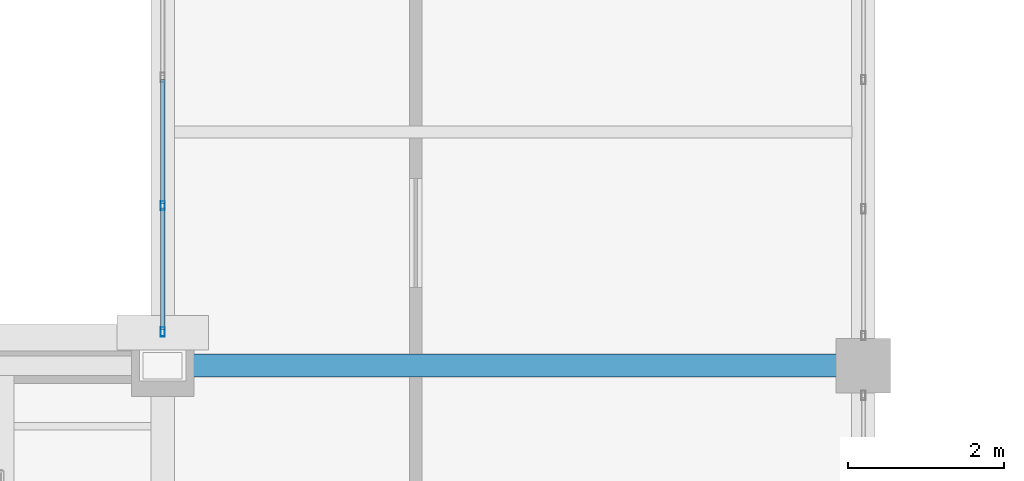
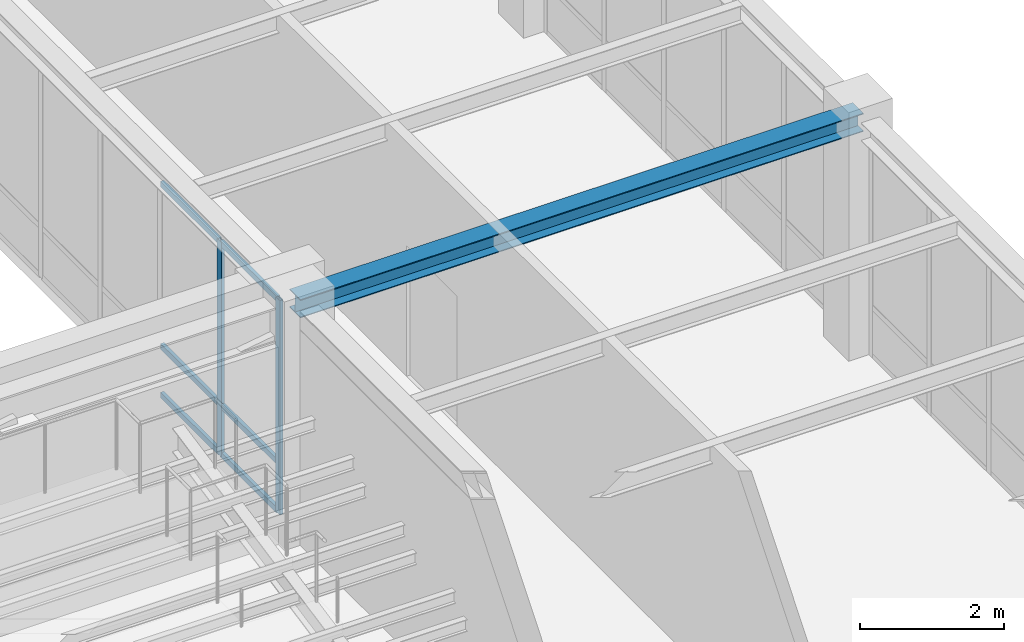
# One storey, part 35 of 108: 8 members, 1 beam, 1 element without a shape of its own.
"""IFC4 building model written with IfcOpenShell, lengths in metres."""

from ifc_helpers import new_model, si_unit, direction, frame, origin, origin_2d, place, context, subcontext, project, spatial, hollow_rectangle, i_section, extrude, material, material_profile, profile_set, type_object, element, aggregate, save


model = new_model("IFC4")

# Units and contexts
model_context = context("Model", 3, precision=1e-05, world=origin(), true_north=direction((0.0, 1.0)))
body_context = subcontext(model_context, "Body", "Model", "MODEL_VIEW")
ifc_project = project(units=[si_unit("LENGTHUNIT", "METRE"), si_unit("AREAUNIT", "SQUARE_METRE"), si_unit("VOLUMEUNIT", "CUBIC_METRE"), si_unit("PLANEANGLEUNIT", "RADIAN"), si_unit("MASSUNIT", "GRAM", prefix="KILO")], contexts=[model_context])

# Site, building, storey
site_placement = place(None, origin())
site = spatial("IfcSite", under=ifc_project, at=site_placement, CompositionType="ELEMENT")
building_placement = place(site_placement, origin())
building = spatial("IfcBuilding", under=site, at=building_placement, Name="Lykobir Media Centre", CompositionType="ELEMENT")
storey_placement = place(building_placement, frame((0.0, 0.0, 15.0)))
storey = spatial("IfcBuildingStorey", under=building, at=storey_placement, Name="L03", CompositionType="ELEMENT", Elevation=15.0)

# Curtain wall, members
ifc_material_1 = material(Name="Anodized Aluminium AW-6060", Category="aluminium")
curtain_wall_type = type_object("IfcCurtainWallType", Name="CW-COURT-B", PredefinedType="NOTDEFINED", material=ifc_material_1)
curtain_wall_placement = place(storey_placement, origin())
curtain_wall = element("IfcCurtainWall", 1, at=curtain_wall_placement, inside=storey, type_object=curtain_wall_type, Name="Curtain wall CW2-L03-0135", PredefinedType="NOTDEFINED")
ifc_material_profile_1 = material_profile(ifc_material_1, hollow_rectangle(XDim=0.054931640625, YDim=0.1201171875, WallThickness=0.003173828125, at=origin_2d()), Name="ALU MULLION 55x120")
ifc_profile_set_1 = profile_set([ifc_material_profile_1], Name="Anodized Aluminium AW-6060")
member_type_1 = type_object("IfcMemberType", Name="CWM-120", PredefinedType="MULLION", material=ifc_profile_set_1)
member_1_placement = place(storey_placement, frame((27.0, 45.4326171875, 0.0), z_axis=(0.0, 0.0, 1.0), x_axis=(-1.0, 0.0, 0.0)))
member_1 = element("IfcMember", 2, at=member_1_placement, type_object=member_type_1, Name="CW2-L03-0135 mullion 1", PredefinedType="MULLION", context=body_context, shape_type="SweptSolid", body=[
    extrude(hollow_rectangle(XDim=0.054931640625, YDim=0.1201171875, WallThickness=0.003173828125, at=origin_2d()), origin(), (0.0, 0.0, 1.0), 3.623046875),
])
member_2_placement = place(storey_placement, frame((27.0, 47.052978515625, 0.0), z_axis=(0.0, 0.0, 1.0), x_axis=(-1.0, 0.0, 0.0)))
member_2 = element("IfcMember", 3, at=member_2_placement, type_object=member_type_1, Name="CW2-L03-0135 mullion 2", PredefinedType="MULLION", context=body_context, shape_type="SweptSolid", body=[
    extrude(hollow_rectangle(XDim=0.054931640625, YDim=0.1201171875, WallThickness=0.003173828125, at=origin_2d()), origin(), (0.0, 0.0, 1.0), 3.623046875),
])
ifc_material_profile_2 = material_profile(ifc_material_1, hollow_rectangle(XDim=0.054931640625, YDim=0.094970703125, WallThickness=0.0029296875, at=origin_2d()), Name="ALU TRANSOM 55x95")
ifc_profile_set_2 = profile_set([ifc_material_profile_2], Name="Anodized Aluminium AW-6060")
member_type_2 = type_object("IfcMemberType", Name="CWT-095", PredefinedType="USERDEFINED", material=ifc_profile_set_2)
member_3_placement = place(storey_placement, frame((27.0, 45.4599609375, 0.027587890625), z_axis=(0.0, 1.0, 0.0), x_axis=(-1.0, 0.0, 0.0)))
member_3 = element("IfcMember", 4, at=member_3_placement, type_object=member_type_2, Name="CW2-L03-0135 transom 1.1", ObjectType="TRANSOM", PredefinedType="USERDEFINED", context=body_context, shape_type="SweptSolid", body=[
    extrude(hollow_rectangle(XDim=0.054931640625, YDim=0.094970703125, WallThickness=0.0029296875, at=origin_2d()), origin(), (0.0, 0.0, 1.0), 1.5654296875),
])
member_4_placement = place(storey_placement, frame((27.0, 45.4599609375, 0.85009765625), z_axis=(0.0, 1.0, 0.0), x_axis=(-1.0, 0.0, 0.0)))
member_4 = element("IfcMember", 5, at=member_4_placement, type_object=member_type_2, Name="CW2-L03-0135 transom 1.2", ObjectType="TRANSOM", PredefinedType="USERDEFINED", context=body_context, shape_type="SweptSolid", body=[
    extrude(hollow_rectangle(XDim=0.054931640625, YDim=0.094970703125, WallThickness=0.0029296875, at=origin_2d()), origin(), (0.0, 0.0, 1.0), 1.5654296875),
])
member_5_placement = place(storey_placement, frame((27.0, 45.4599609375, 3.595458984375), z_axis=(0.0, 1.0, 0.0), x_axis=(-1.0, 0.0, 0.0)))
member_5 = element("IfcMember", 6, at=member_5_placement, type_object=member_type_2, Name="CW2-L03-0135 transom 1.3", ObjectType="TRANSOM", PredefinedType="USERDEFINED", context=body_context, shape_type="SweptSolid", body=[
    extrude(hollow_rectangle(XDim=0.054931640625, YDim=0.094970703125, WallThickness=0.0029296875, at=origin_2d()), origin(), (0.0, 0.0, 1.0), 1.5654296875),
])
member_6_placement = place(storey_placement, frame((27.0, 47.08056640625, 0.027587890625), z_axis=(0.0, 1.0, 0.0), x_axis=(-1.0, 0.0, 0.0)))
member_6 = element("IfcMember", 7, at=member_6_placement, type_object=member_type_2, Name="CW2-L03-0135 transom 2.1", ObjectType="TRANSOM", PredefinedType="USERDEFINED", context=body_context, shape_type="SweptSolid", body=[
    extrude(hollow_rectangle(XDim=0.054931640625, YDim=0.094970703125, WallThickness=0.0029296875, at=origin_2d()), origin(), (0.0, 0.0, 1.0), 1.593017578125),
])
member_7_placement = place(storey_placement, frame((27.0, 47.08056640625, 0.85009765625), z_axis=(0.0, 1.0, 0.0), x_axis=(-1.0, 0.0, 0.0)))
member_7 = element("IfcMember", 8, at=member_7_placement, type_object=member_type_2, Name="CW2-L03-0135 transom 2.2", ObjectType="TRANSOM", PredefinedType="USERDEFINED", context=body_context, shape_type="SweptSolid", body=[
    extrude(hollow_rectangle(XDim=0.054931640625, YDim=0.094970703125, WallThickness=0.0029296875, at=origin_2d()), origin(), (0.0, 0.0, 1.0), 1.593017578125),
])
member_8_placement = place(storey_placement, frame((27.0, 47.08056640625, 3.595458984375), z_axis=(0.0, 1.0, 0.0), x_axis=(-1.0, 0.0, 0.0)))
member_8 = element("IfcMember", 9, at=member_8_placement, type_object=member_type_2, Name="CW2-L03-0135 transom 2.3", ObjectType="TRANSOM", PredefinedType="USERDEFINED", context=body_context, shape_type="SweptSolid", body=[
    extrude(hollow_rectangle(XDim=0.054931640625, YDim=0.094970703125, WallThickness=0.0029296875, at=origin_2d()), origin(), (0.0, 0.0, 1.0), 1.593017578125),
])
aggregate(curtain_wall, [member_1, member_2, member_3, member_4, member_5, member_6, member_7, member_8])

# Beam
ifc_material_2 = material(Name="Steel S355", Category="steel")
ifc_material_profile_3 = material_profile(ifc_material_2, i_section(OverallWidth=0.300048828125, OverallDepth=0.31005859375, WebThickness=0.009033203125, FlangeThickness=0.015380859375, at=origin_2d()), Name="HEA 320")
ifc_profile_set_3 = profile_set([ifc_material_profile_3], Name="Steel S355")
beam_type = type_object("IfcBeamType", Name="SP-HEA320", PredefinedType="SPANDREL", material=ifc_profile_set_3)
beam_placement = place(storey_placement, frame((27.0, 45.0, 3.79296875), z_axis=(1.0, 0.0, 0.0), x_axis=(0.0, 1.0, 0.0)))
element("IfcBeam", 10, at=beam_placement, inside=storey, type_object=beam_type, Name="Beam BM-L03-0270-0450-0360-0450-1880", PredefinedType="SPANDREL", context=body_context, shape_type="SweptSolid", body=[
    extrude(i_section(OverallWidth=0.300048828125, OverallDepth=0.31005859375, WebThickness=0.009033203125, FlangeThickness=0.015380859375, at=origin_2d()), origin(), (0.0, 0.0, 1.0), 9.0),
])

save(model, "model.ifc")
